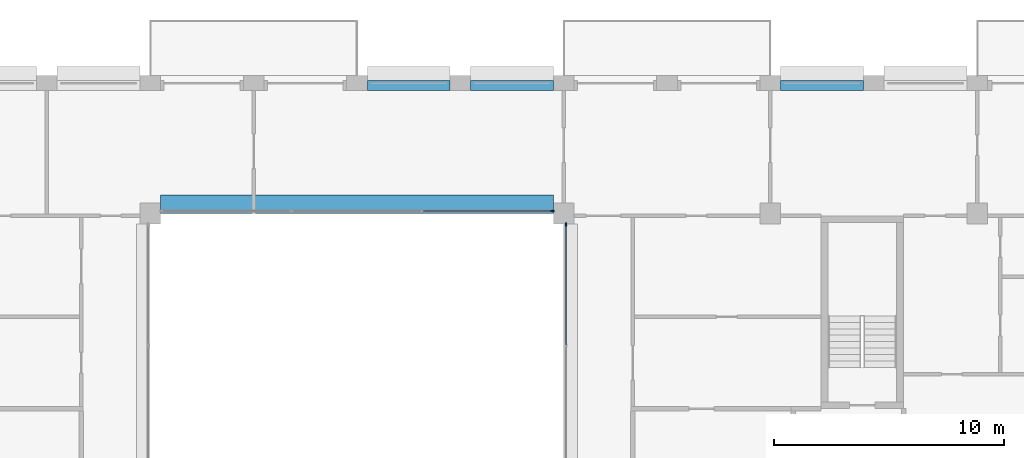
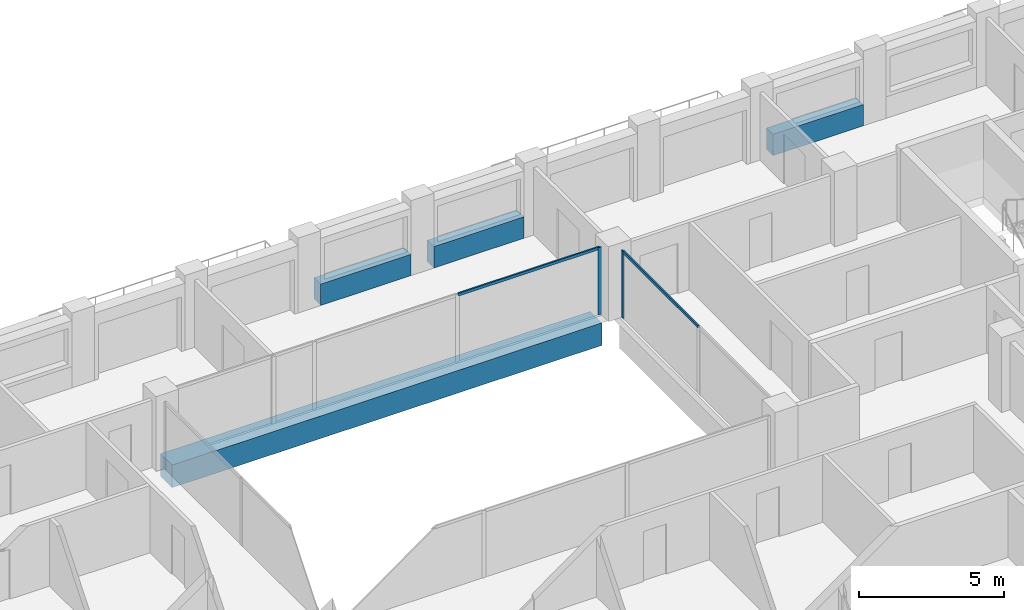
# One storey, part 6 of 15: 4 beams, 4 members, 2 elements without a shape of their own.
"""IFC4 building model written with IfcOpenShell, lengths in metres."""

from ifc_helpers import new_model, si_unit, direction, frame, origin, origin_2d, place, context, subcontext, project, spatial, rectangle, extrude, material, layer, layer_set, material_profile, profile_set, type_object, element, aggregate, save


model = new_model("IFC4")

# Units and contexts
model_context = context("Model", 3, precision=1e-05, world=origin(), true_north=direction((0.0, 1.0)))
body_context = subcontext(model_context, "Body", "Model", "MODEL_VIEW")
ifc_project = project(units=[si_unit("LENGTHUNIT", "METRE"), si_unit("AREAUNIT", "SQUARE_METRE"), si_unit("VOLUMEUNIT", "CUBIC_METRE"), si_unit("PLANEANGLEUNIT", "RADIAN"), si_unit("MASSUNIT", "GRAM", prefix="KILO")], contexts=[model_context])

# Site, building, storey
site_placement = place(None, origin())
site = spatial("IfcSite", under=ifc_project, at=site_placement, CompositionType="ELEMENT")
building_placement = place(site_placement, origin())
building = spatial("IfcBuilding", under=site, at=building_placement, Name="Brigalow Station Residences", CompositionType="ELEMENT")
storey_placement = place(building_placement, frame((0.0, 0.0, 223.199951171875)))
storey = spatial("IfcBuildingStorey", under=building, at=storey_placement, Name="L64", CompositionType="ELEMENT", Elevation=223.199951171875)

# Beam
ifc_material_1 = material(Name="Concrete C65", Category="concrete")
ifc_material_profile_1 = material_profile(ifc_material_1, rectangle(XDim=0.800048828125, YDim=0.949951171875, at=origin_2d()), Name="RC800x950")
ifc_profile_set_1 = profile_set([ifc_material_profile_1], Name="Concrete C65")
beam_type_1 = type_object("IfcBeamType", Name="ATRIUM EDGE GIRDER OVER 13.5 M SPAN 800x950 C65", PredefinedType="BEAM", material=ifc_profile_set_1)
beam_placement = place(storey_placement, frame((27.449951171875, 35.89990234375, -0.794921875), z_axis=(1.0, 0.0, 0.0), x_axis=(0.0, 1.0, 0.0)))
element("IfcBeam", 1, at=beam_placement, inside=storey, type_object=beam_type_1, Name="ATRIUM EDGE GIRDER D L64", PredefinedType="BEAM", context=body_context, shape_type="SweptSolid", body=[
    extrude(rectangle(XDim=0.800048828125, YDim=0.949951171875, at=origin_2d()), origin(), (0.0, 0.0, 1.0), 17.10009765625),
])

# Curtain wall, member
ifc_material_2 = material(Name="Aluminium", Category="aluminium")
ifc_layer = layer(ifc_material_2, 0.14990234375)
ifc_layer_set = layer_set([ifc_layer], Name="ATRIUM FIRE-RATED GLAZING CURTAIN WALL")
curtain_wall_type = type_object("IfcCurtainWallType", Name="ATRIUM FIRE-RATED GLAZING CURTAIN WALL", PredefinedType="NOTDEFINED", material=ifc_layer_set)
curtain_wall_1_placement = place(storey_placement, origin())
curtain_wall_1 = element("IfcCurtainWall", 2, at=curtain_wall_1_placement, inside=storey, type_object=curtain_wall_type, Name="L64/cw/atrium-E", PredefinedType="NOTDEFINED")
ifc_material_3 = material(Name="Aluminium", Category="aluminium")
ifc_material_profile_2 = material_profile(ifc_material_3, rectangle(XDim=0.06005859375, YDim=0.14990234375, at=origin_2d()), Name="ATRIUM FIRE-RATED GLAZING MULLION 60x150")
ifc_profile_set_2 = profile_set([ifc_material_profile_2], Name="Aluminium")
member_type_1 = type_object("IfcMemberType", Name="ATRIUM FIRE-RATED GLAZING MULLION 60x150", PredefinedType="MULLION", material=ifc_profile_set_2)
member_1_placement = place(storey_placement, frame((45.10009765625, 35.02001953125, 0.0), z_axis=(0.0, 0.0, 1.0), x_axis=(-1.0, 0.0, 0.0)))
member_1 = element("IfcMember", 3, at=member_1_placement, type_object=member_type_1, Name="L64/cw/atrium-E/M02", PredefinedType="MULLION", context=body_context, shape_type="SweptSolid", body=[
    extrude(rectangle(XDim=0.06005859375, YDim=0.14990234375, at=origin_2d()), origin(), (0.0, 0.0, 1.0), 2.830078125),
])

curtain_wall_2_placement = place(storey_placement, origin())
curtain_wall_2 = element("IfcCurtainWall", 4, at=curtain_wall_2_placement, inside=storey, type_object=curtain_wall_type, Name="L64/cw/atrium-N", PredefinedType="NOTDEFINED")
member_2_placement = place(storey_placement, frame((44.52001953125, 35.60009765625, 0.0), z_axis=(0.0, 0.0, 1.0), x_axis=(0.0, -1.0, 0.0)))
member_2 = element("IfcMember", 5, at=member_2_placement, type_object=member_type_1, Name="L64/cw/atrium-N/M00", PredefinedType="MULLION", context=body_context, shape_type="SweptSolid", body=[
    extrude(rectangle(XDim=0.06005859375, YDim=0.14990234375, at=origin_2d()), origin(), (0.0, 0.0, 1.0), 2.830078125),
])

# Member
ifc_material_4 = material(Name="Aluminium", Category="aluminium")
ifc_material_profile_3 = material_profile(ifc_material_4, rectangle(XDim=0.06005859375, YDim=0.1201171875, at=origin_2d()), Name="ATRIUM FIRE-RATED GLAZING TRANSOM 60x120")
ifc_profile_set_3 = profile_set([ifc_material_profile_3], Name="Aluminium")
member_type_2 = type_object("IfcMemberType", Name="ATRIUM FIRE-RATED GLAZING TRANSOM 60x120", PredefinedType="USERDEFINED", material=ifc_profile_set_3)
member_3_placement = place(storey_placement, frame((45.10009765625, 29.780029296875, 2.800048828125), z_axis=(0.0, 1.0, 0.0), x_axis=(-1.0, 0.0, 0.0)))
member_3 = element("IfcMember", 6, at=member_3_placement, type_object=member_type_2, Name="L64/cw/atrium-E/T01-00", ObjectType="TRANSOM", PredefinedType="USERDEFINED", context=body_context, shape_type="SweptSolid", body=[
    extrude(rectangle(XDim=0.06005859375, YDim=0.1201171875, at=origin_2d()), origin(), (0.0, 0.0, 1.0), 5.2099609375),
])

aggregate(curtain_wall_1, [member_1, member_3])

member_4_placement = place(storey_placement, frame((44.489990234375, 35.60009765625, 2.800048828125), z_axis=(-1.0, 0.0, 0.0), x_axis=(0.0, -1.0, 0.0)))
member_4 = element("IfcMember", 7, at=member_4_placement, type_object=member_type_2, Name="L64/cw/atrium-N/T00-00", ObjectType="TRANSOM", PredefinedType="USERDEFINED", context=body_context, shape_type="SweptSolid", body=[
    extrude(rectangle(XDim=0.06005859375, YDim=0.1201171875, at=origin_2d()), origin(), (0.0, 0.0, 1.0), 5.610107421875),
])

aggregate(curtain_wall_2, [member_2, member_4])

# Beams
ifc_material_5 = material(Name="Concrete C50", Category="concrete")
ifc_material_profile_4 = material_profile(ifc_material_5, rectangle(XDim=0.449951171875, YDim=0.89990234375, at=origin_2d()), Name="RC450x900")
ifc_profile_set_4 = profile_set([ifc_material_profile_4], Name="Concrete C50")
beam_type_2 = type_object("IfcBeamType", Name="SPANDREL BEAM 450x900 C50", PredefinedType="SPANDREL", material=ifc_profile_set_4)
for number, where, z_axis, x_axis, name in (
    (8, (58.050048828125, 41.074951171875, 0.449951171875), (-1.0, 0.0, 0.0), (0.0, -1.0, 0.0), "L64/spandrel/W-L64-22"),
    (9, (44.550048828125, 41.074951171875, 0.449951171875), (-1.0, 0.0, 0.0), (0.0, -1.0, 0.0), "L64/spandrel/W-L64-25"),
    (10, (40.050048828125, 41.074951171875, 0.449951171875), (-1.0, 0.0, 0.0), (0.0, -1.0, 0.0), "L64/spandrel/W-L64-26"),
):
    element("IfcBeam", number, at=place(storey_placement, frame(where, z_axis=z_axis, x_axis=x_axis)), inside=storey, type_object=beam_type_2, Name=name, PredefinedType="SPANDREL", context=body_context, shape_type="SweptSolid", body=[
        extrude(rectangle(XDim=0.449951171875, YDim=0.89990234375, at=origin_2d()), origin(), (0.0, 0.0, 1.0), 3.60009765625),
    ])

save(model, "model.ifc")
